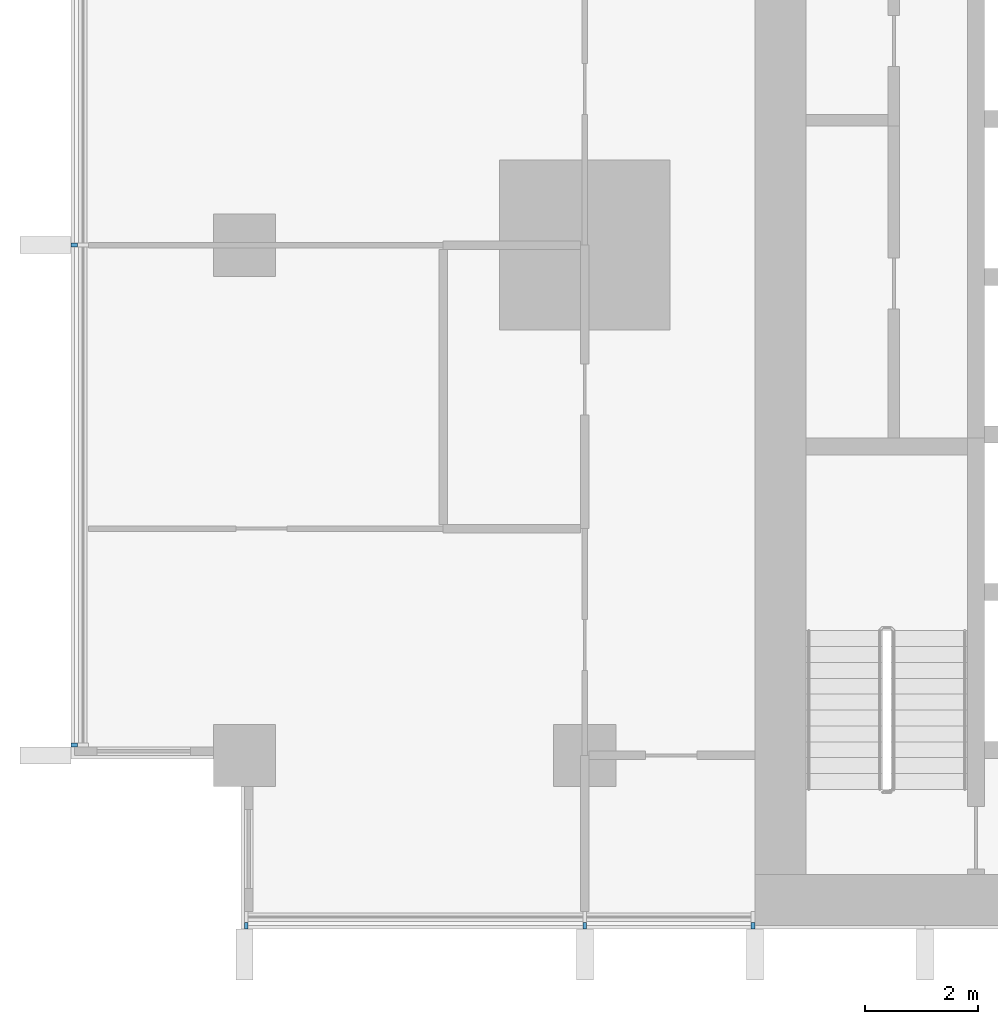
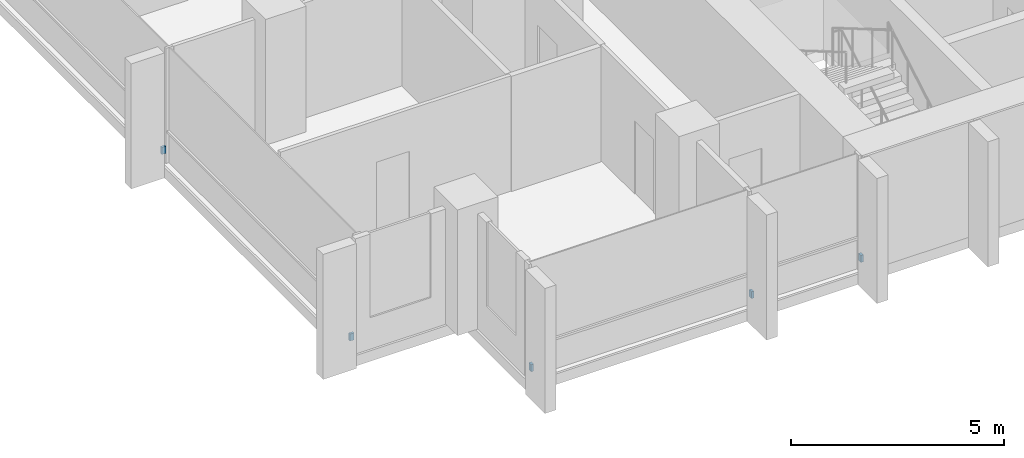
# One storey, part 14 of 18: 5 discrete accessories.
"""IFC4 building model written with IfcOpenShell, lengths in metres."""

from ifc_helpers import new_model, si_unit, direction, frame, origin, origin_2d, place, context, subcontext, project, spatial, rectangle, extrude, material, type_object, element, save


model = new_model("IFC4")

# Units and contexts
model_context = context("Model", 3, precision=1e-05, world=origin(), true_north=direction((0.0, 1.0)))
body_context = subcontext(model_context, "Body", "Model", "MODEL_VIEW")
ifc_project = project(units=[si_unit("LENGTHUNIT", "METRE"), si_unit("AREAUNIT", "SQUARE_METRE"), si_unit("VOLUMEUNIT", "CUBIC_METRE"), si_unit("PLANEANGLEUNIT", "RADIAN"), si_unit("MASSUNIT", "GRAM", prefix="KILO")], contexts=[model_context])

# Site, building, storey
site_placement = place(None, origin())
site = spatial("IfcSite", under=ifc_project, at=site_placement, CompositionType="ELEMENT")
building_placement = place(site_placement, origin())
building = spatial("IfcBuilding", under=site, at=building_placement, Name="Finial Court Residences", CompositionType="ELEMENT")
storey_placement = place(building_placement, frame((0.0, 0.0, 54.10009765625)))
storey = spatial("IfcBuildingStorey", under=building, at=storey_placement, Name="L12", CompositionType="ELEMENT", Elevation=54.10009765625)

# Discrete accessories
ifc_material = material(Name="Stainless steel 316", Category="steel")
discrete_accessory_type = type_object("IfcDiscreteAccessoryType", Name="Fin bracket, stainless steel 65 x 110 x 200", PredefinedType="BRACKET", material=ifc_material)
for number, where, z_axis, x_axis, name in (
    (1, (-22.467529296875, -25.5048828125, 0.2998046875), (0.0, 0.0, 1.0), (1.0, 0.0, 0.0), "E-L12-FIN-S17-BRK"),
    (2, (-16.5, -25.5048828125, 0.2998046875), (0.0, 0.0, 1.0), (1.0, 0.0, 0.0), "E-L12-FIN-S18-BRK"),
    (3, (-13.532470703125, -25.5048828125, 0.2998046875), (0.0, 0.0, 1.0), (1.0, 0.0, 0.0), "E-L12-FIN-S19-BRK"),
):
    element("IfcDiscreteAccessory", number, at=place(storey_placement, frame(where, z_axis=z_axis, x_axis=x_axis)), inside=storey, type_object=discrete_accessory_type, Name=name, PredefinedType="BRACKET", context=body_context, shape_type="SweptSolid", body=[
        extrude(rectangle(XDim=0.06494140625, YDim=0.110107421875, at=origin_2d()), origin(), (0.0, 0.0, 1.0), 0.199951171875),
    ])
for number, where, z_axis, x_axis, name in (
    (4, (-25.5048828125, -22.3173828125, 0.2998046875), (0.0, 0.0, 1.0), (1.0, 0.0, 0.0), "E-L12-FIN-W27-BRK"),
    (5, (-25.5048828125, -13.5, 0.2998046875), (0.0, 0.0, 1.0), (1.0, 0.0, 0.0), "E-L12-FIN-W28-BRK"),
):
    element("IfcDiscreteAccessory", number, at=place(storey_placement, frame(where, z_axis=z_axis, x_axis=x_axis)), inside=storey, type_object=discrete_accessory_type, Name=name, PredefinedType="BRACKET", context=body_context, shape_type="SweptSolid", body=[
        extrude(rectangle(XDim=0.110107421875, YDim=0.06494140625, at=origin_2d()), origin(), (0.0, 0.0, 1.0), 0.199951171875),
    ])

save(model, "model.ifc")
